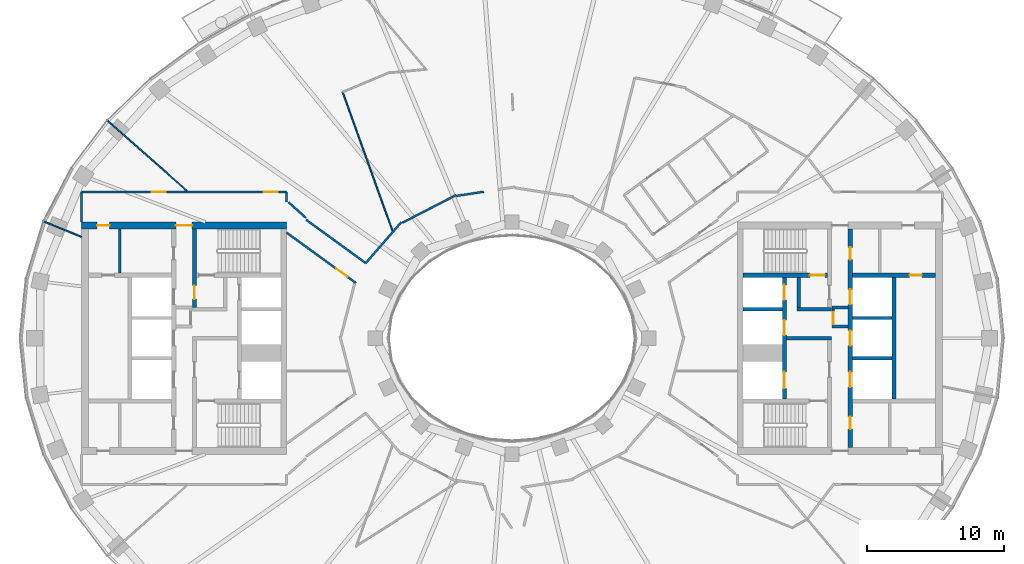
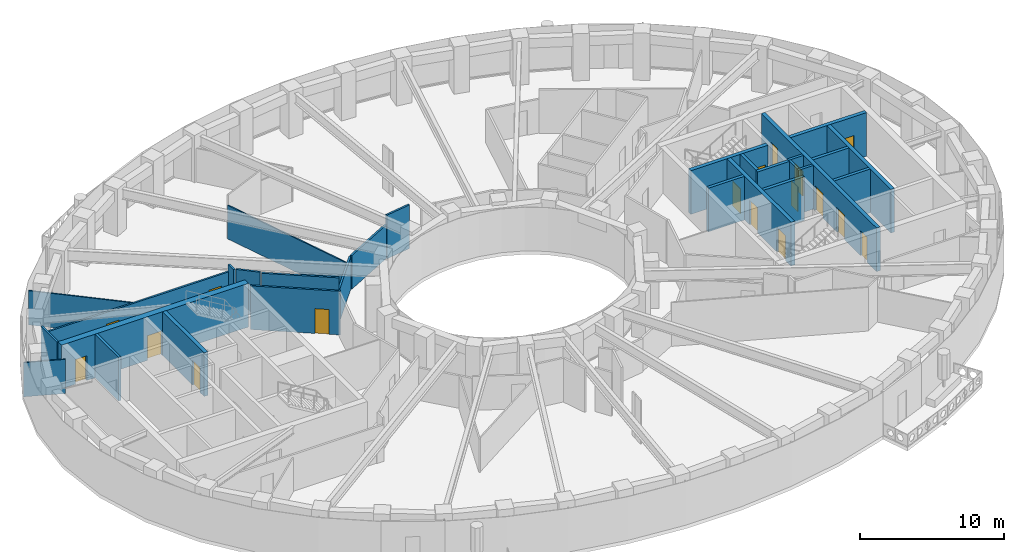
# One storey, part 5 of 15: 29 walls, 17 doors, 17 openings.
"""IFC4 building model written with IfcOpenShell, lengths in metres."""

from ifc_helpers import new_model, si_unit, direction, frame, frame_2d, origin, place, context, subcontext, project, spatial, rectangle, extrude, material, layer, layer_set, type_object, element, fill, save


model = new_model("IFC4")

# Units and contexts
model_context = context("Model", 3, precision=1e-05, world=origin(), true_north=direction((0.0, 1.0)))
body_context = subcontext(model_context, "Body", "Model", "MODEL_VIEW")
ifc_project = project(units=[si_unit("LENGTHUNIT", "METRE"), si_unit("AREAUNIT", "SQUARE_METRE"), si_unit("VOLUMEUNIT", "CUBIC_METRE"), si_unit("PLANEANGLEUNIT", "RADIAN"), si_unit("MASSUNIT", "GRAM", prefix="KILO")], contexts=[model_context])

# Site, building, storey
site_placement = place(None, origin())
site = spatial("IfcSite", under=ifc_project, at=site_placement, CompositionType="ELEMENT")
building_placement = place(site_placement, origin())
building = spatial("IfcBuilding", under=site, at=building_placement, Name="Noorbagh Ring Tower", CompositionType="ELEMENT")
storey_placement = place(building_placement, frame((0.0, 0.0, 194.0)))
storey = spatial("IfcBuildingStorey", under=building, at=storey_placement, Name="L45", CompositionType="ELEMENT", Elevation=194.0)

# Walls
ifc_material_1 = material(Name="Gypsum board on steel studs", Category="steel")
ifc_layer_1 = layer(ifc_material_1, 0.199951171875)
ifc_layer_set_1 = layer_set([ifc_layer_1], Name="Gypsum board on steel studs")
wall_type_1 = type_object("IfcWallType", Name="CORE-PARTITION-200", PredefinedType="PARTITIONING", material=ifc_layer_set_1)
wall_1_placement = place(storey_placement, frame((-28.699951171875, 4.75, 0.0), z_axis=(0.0, 0.0, 1.0), x_axis=(0.0, 1.0, 0.0)))
element("IfcWall", 1, at=wall_1_placement, inside=storey, type_object=wall_type_1, Name="Core partition W", PredefinedType="PARTITIONING", context=body_context, shape_type="SweptSolid", body=[
    extrude(rectangle(XDim=3.25, YDim=0.199951171875, at=frame_2d((1.625, 0.0))), origin(), (0.0, 0.0, 1.0), 3.699951171875),
])
for number, where, z_axis, x_axis, name in (
    (2, (23.39990234375, 0.85009765625, 0.0), (0.0, 0.0, 1.0), (1.0, 0.0, 0.0), "Core partition E"),
    (3, (23.39990234375, 2.25, 0.0), (0.0, 0.0, 1.0), (1.0, 0.0, 0.0), "Core partition E"),
):
    element("IfcWall", number, at=place(storey_placement, frame(where, z_axis=z_axis, x_axis=x_axis)), inside=storey, type_object=wall_type_1, Name=name, PredefinedType="PARTITIONING", context=body_context, shape_type="SweptSolid", body=[
        extrude(rectangle(XDim=1.2001953125, YDim=0.199951171875, at=frame_2d((0.60009765625, 0.0))), origin(), (0.0, 0.0, 1.0), 3.699951171875),
    ])

# Wall, opening, door
wall_2_placement = place(storey_placement, frame((23.5, 0.75, 0.0), z_axis=(0.0, 0.0, 1.0), x_axis=(0.0, 1.0, 0.0)))
wall_2 = element("IfcWall", 4, at=wall_2_placement, inside=storey, type_object=wall_type_1, Name="Core partition E", PredefinedType="PARTITIONING", context=body_context, shape_type="SweptSolid", body=[
    extrude(rectangle(XDim=1.60009765625, YDim=0.199951171875, at=frame_2d((0.800048828125, 0.0))), origin(), (0.0, 0.0, 1.0), 3.699951171875),
])
opening_1_placement = place(wall_2_placement, frame((0.25, 0.0, 0.0)))
opening_1 = element("IfcOpeningElement", 5, at=opening_1_placement, cuts=wall_2, Name="Opening L45-CE17", PredefinedType="OPENING", context=body_context, shape_type="SweptSolid", body=[
    extrude(rectangle(XDim=0.89990234375, YDim=2.10009765625, at=frame_2d((0.449951171875, 1.050048828125))), frame((0.0, 0.10986328125, 0.0), z_axis=(0.0, -1.0, 0.0), x_axis=(1.0, 0.0, 0.0)), (0.0, 0.0, 1.0), 0.219970703125),
])
ifc_material_2 = material(Name="Steel door leaf", Category="steel")
door_type_1 = type_object("IfcDoorType", Name="CORE-DOOR-DROOM", OperationType="SINGLE_SWING_LEFT", PredefinedType="DOOR", material=ifc_material_2)
door_1_placement = place(opening_1_placement, origin())
door_1 = element("IfcDoor", 6, at=door_1_placement, inside=storey, type_object=door_type_1, Name="Core room door L45-CE17", OperationType="SINGLE_SWING_LEFT", OverallHeight=2.10009765625, OverallWidth=0.89990234375, PredefinedType="DOOR", context=body_context, shape_type="SweptSolid", body=[
    extrude(rectangle(XDim=0.89990234375, YDim=2.10009765625, at=frame_2d((0.449951171875, 1.050048828125))), frame((0.0, 0.02490234375, 0.0), z_axis=(0.0, -1.0, 0.0), x_axis=(1.0, 0.0, 0.0)), (0.0, 0.0, 1.0), 0.050048828125),
])
fill(opening_1, door_1)

# Walls
ifc_material_3 = material(Name="Concrete C60/75", Category="concrete")
ifc_layer_2 = layer(ifc_material_3, 0.25)
ifc_layer_set_2 = layer_set([ifc_layer_2], Name="Concrete C60/75")
wall_type_2 = type_object("IfcWallType", Name="CORE-WALL-250-C60-75-EI120", PredefinedType="SHEAR", material=ifc_layer_set_2)
for number, where, z_axis, x_axis, name in (
    (7, (16.89990234375, 2.125, 0.0), (0.0, 0.0, 1.0), (1.0, 0.0, 0.0), "Core wall E"),
    (8, (24.89990234375, -1.47509765625, 0.0), (0.0, 0.0, 1.0), (1.0, 0.0, 0.0), "Core wall E"),
    (9, (24.89990234375, 1.47509765625, 0.0), (0.0, 0.0, 1.0), (1.0, 0.0, 0.0), "Core wall E"),
):
    element("IfcWall", number, at=place(storey_placement, frame(where, z_axis=z_axis, x_axis=x_axis)), inside=storey, type_object=wall_type_2, Name=name, PredefinedType="SHEAR", context=body_context, shape_type="SweptSolid", body=[
        extrude(rectangle(XDim=2.900146484375, YDim=0.25, at=frame_2d((1.4501953125, 0.0))), origin(), (0.0, 0.0, 1.0), 3.699951171875),
    ])
ifc_material_4 = material(Name="Concrete C60/75", Category="concrete")
ifc_layer_3 = layer(ifc_material_4, 0.25)
ifc_layer_set_3 = layer_set([ifc_layer_3], Name="Concrete C60/75")
wall_type_3 = type_object("IfcWallType", Name="CORE-WALL-250-C60-75-EI240", PredefinedType="SHEAR", material=ifc_layer_set_3)
wall_3_placement = place(storey_placement, frame((20.10009765625, 0.0, 0.0), z_axis=(0.0, 0.0, 1.0), x_axis=(1.0, 0.0, 0.0)))
element("IfcWall", 10, at=wall_3_placement, inside=storey, type_object=wall_type_3, Name="Core wall E", PredefinedType="SHEAR", context=body_context, shape_type="SweptSolid", body=[
    extrude(rectangle(XDim=3.27978515625, YDim=0.25, at=frame_2d((1.639892578125, 0.0))), origin(), (0.0, 0.0, 1.0), 3.699951171875),
])
wall_4_placement = place(storey_placement, frame((20.85009765625, 2.125, 0.0), z_axis=(0.0, 0.0, 1.0), x_axis=(1.0, 0.0, 0.0)))
element("IfcWall", 11, at=wall_4_placement, inside=storey, type_object=wall_type_3, Name="Core wall E", PredefinedType="SHEAR", context=body_context, shape_type="SweptSolid", body=[
    extrude(rectangle(XDim=2.52978515625, YDim=0.25, at=frame_2d((1.264892578125, 0.0))), origin(), (0.0, 0.0, 1.0), 3.699951171875),
])
wall_5_placement = place(storey_placement, frame((20.97509765625, 2.25, 0.0), z_axis=(0.0, 0.0, 1.0), x_axis=(0.0, 1.0, 0.0)))
element("IfcWall", 12, at=wall_5_placement, inside=storey, type_object=wall_type_3, Name="Core wall E", PredefinedType="SHEAR", context=body_context, shape_type="SweptSolid", body=[
    extrude(rectangle(XDim=2.199951171875, YDim=0.25, at=frame_2d((1.10009765625, 0.0))), origin(), (0.0, 0.0, 1.0), 3.699951171875),
])
ifc_material_5 = material(Name="Concrete C60/75", Category="concrete")
ifc_layer_4 = layer(ifc_material_5, 0.300048828125)
ifc_layer_set_4 = layer_set([ifc_layer_4], Name="Concrete C60/75")
wall_type_4 = type_object("IfcWallType", Name="CORE-WALL-300-C60-75-EI120", PredefinedType="SHEAR", material=ifc_layer_set_4)
wall_6_placement = place(storey_placement, frame((27.949951171875, -4.449951171875, 0.0), z_axis=(0.0, 0.0, 1.0), x_axis=(0.0, 1.0, 0.0)))
element("IfcWall", 13, at=wall_6_placement, inside=storey, type_object=wall_type_4, Name="Core wall E", PredefinedType="SHEAR", context=body_context, shape_type="SweptSolid", body=[
    extrude(rectangle(XDim=8.89990234375, YDim=0.300048828125, at=frame_2d((4.449951171875, 0.0))), origin(), (0.0, 0.0, 1.0), 3.699951171875),
])

# Wall, openings, doors
wall_7_placement = place(storey_placement, frame((19.949951171875, -4.449951171875, 0.0), z_axis=(0.0, 0.0, 1.0), x_axis=(0.0, 1.0, 0.0)))
wall_7 = element("IfcWall", 14, at=wall_7_placement, inside=storey, type_object=wall_type_4, Name="Core wall E", PredefinedType="SHEAR", context=body_context, shape_type="SweptSolid", body=[
    extrude(rectangle(XDim=8.89990234375, YDim=0.300048828125, at=frame_2d((4.449951171875, 0.0))), origin(), (0.0, 0.0, 1.0), 3.699951171875),
])
opening_2_placement = place(wall_7_placement, frame((0.77490234375, 0.0, 0.0)))
opening_2 = element("IfcOpeningElement", 15, at=opening_2_placement, cuts=wall_7, Name="Opening L45-CE01", PredefinedType="OPENING", context=body_context, shape_type="SweptSolid", body=[
    extrude(rectangle(XDim=1.199951171875, YDim=2.10009765625, at=frame_2d((0.60009765625, 1.050048828125))), frame((0.0, 0.16015625, 0.0), z_axis=(0.0, -1.0, 0.0), x_axis=(1.0, 0.0, 0.0)), (0.0, 0.0, 1.0), 0.320068359375),
])
opening_3_placement = place(wall_7_placement, frame((4.675048828125, 0.0, 0.0)))
opening_3 = element("IfcOpeningElement", 16, at=opening_3_placement, cuts=wall_7, Name="Opening L45-CE02", PredefinedType="OPENING", context=body_context, shape_type="SweptSolid", body=[
    extrude(rectangle(XDim=1.10009765625, YDim=2.10009765625, at=frame_2d((0.550048828125, 1.050048828125))), frame((0.0, 0.16015625, 0.0), z_axis=(0.0, -1.0, 0.0), x_axis=(1.0, 0.0, 0.0)), (0.0, 0.0, 1.0), 0.320068359375),
])
opening_4_placement = place(wall_7_placement, frame((7.25, 0.0, 0.0)))
opening_4 = element("IfcOpeningElement", 17, at=opening_4_placement, cuts=wall_7, Name="Opening L45-CE03", PredefinedType="OPENING", context=body_context, shape_type="SweptSolid", body=[
    extrude(rectangle(XDim=1.10009765625, YDim=2.10009765625, at=frame_2d((0.550048828125, 1.050048828125))), frame((0.0, 0.16015625, 0.0), z_axis=(0.0, -1.0, 0.0), x_axis=(1.0, 0.0, 0.0)), (0.0, 0.0, 1.0), 0.320068359375),
])
ifc_material_6 = material(Name="Steel door leaf", Category="steel")
door_type_2 = type_object("IfcDoorType", Name="CORE-DOOR-LD", OperationType="DOUBLE_DOOR_SLIDING", PredefinedType="DOOR", material=ifc_material_6)
door_2_placement = place(opening_3_placement, origin())
door_2 = element("IfcDoor", 18, at=door_2_placement, inside=storey, type_object=door_type_2, Name="Landing door HR7 L45-CE02", OperationType="DOUBLE_DOOR_SLIDING", OverallHeight=2.10009765625, OverallWidth=1.10009765625, PredefinedType="DOOR", context=body_context, shape_type="SweptSolid", body=[
    extrude(rectangle(XDim=1.10009765625, YDim=2.10009765625, at=frame_2d((0.550048828125, 1.050048828125))), frame((0.0, 0.02490234375, 0.0), z_axis=(0.0, -1.0, 0.0), x_axis=(1.0, 0.0, 0.0)), (0.0, 0.0, 1.0), 0.050048828125),
])
fill(opening_3, door_2)
door_3_placement = place(opening_4_placement, origin())
door_3 = element("IfcDoor", 19, at=door_3_placement, inside=storey, type_object=door_type_2, Name="Landing door HR8 L45-CE03", OperationType="DOUBLE_DOOR_SLIDING", OverallHeight=2.10009765625, OverallWidth=1.10009765625, PredefinedType="DOOR", context=body_context, shape_type="SweptSolid", body=[
    extrude(rectangle(XDim=1.10009765625, YDim=2.10009765625, at=frame_2d((0.550048828125, 1.050048828125))), frame((0.0, 0.02490234375, 0.0), z_axis=(0.0, -1.0, 0.0), x_axis=(1.0, 0.0, 0.0)), (0.0, 0.0, 1.0), 0.050048828125),
])
fill(opening_4, door_3)
ifc_material_7 = material(Name="Steel door leaf", Category="steel")
door_type_3 = type_object("IfcDoorType", Name="CORE-DOOR-LDW", OperationType="DOUBLE_DOOR_SLIDING", PredefinedType="DOOR", material=ifc_material_7)
door_4_placement = place(opening_2_placement, origin())
door_4 = element("IfcDoor", 20, at=door_4_placement, inside=storey, type_object=door_type_3, Name="Landing door FF2 L45-CE01", OperationType="DOUBLE_DOOR_SLIDING", OverallHeight=2.10009765625, OverallWidth=1.199951171875, PredefinedType="DOOR", context=body_context, shape_type="SweptSolid", body=[
    extrude(rectangle(XDim=1.199951171875, YDim=2.10009765625, at=frame_2d((0.60009765625, 1.050048828125))), frame((0.0, 0.02490234375, 0.0), z_axis=(0.0, -1.0, 0.0), x_axis=(1.0, 0.0, 0.0)), (0.0, 0.0, 1.0), 0.050048828125),
])
fill(opening_2, door_4)

wall_8_placement = place(storey_placement, frame((24.75, -8.0, 0.0), z_axis=(0.0, 0.0, 1.0), x_axis=(0.0, 1.0, 0.0)))
wall_8 = element("IfcWall", 21, at=wall_8_placement, inside=storey, type_object=wall_type_4, Name="Core wall E", PredefinedType="SHEAR", context=body_context, shape_type="SweptSolid", body=[
    extrude(rectangle(XDim=16.0, YDim=0.300048828125, at=frame_2d((8.0, 0.0))), origin(), (0.0, 0.0, 1.0), 3.699951171875),
])
opening_5_placement = place(wall_8_placement, frame((4.425048828125, 0.0, 0.0)))
opening_5 = element("IfcOpeningElement", 22, at=opening_5_placement, cuts=wall_8, Name="Opening L45-CE04", PredefinedType="OPENING", context=body_context, shape_type="SweptSolid", body=[
    extrude(rectangle(XDim=1.10009765625, YDim=2.10009765625, at=frame_2d((0.550048828125, 1.050048828125))), frame((0.0, 0.16015625, 0.0), z_axis=(0.0, -1.0, 0.0), x_axis=(1.0, 0.0, 0.0)), (0.0, 0.0, 1.0), 0.320068359375),
])
opening_6_placement = place(wall_8_placement, frame((7.449951171875, 0.0, 0.0)))
opening_6 = element("IfcOpeningElement", 23, at=opening_6_placement, cuts=wall_8, Name="Opening L45-CE05", PredefinedType="OPENING", context=body_context, shape_type="SweptSolid", body=[
    extrude(rectangle(XDim=1.10009765625, YDim=2.10009765625, at=frame_2d((0.550048828125, 1.050048828125))), frame((0.0, 0.16015625, 0.0), z_axis=(0.0, -1.0, 0.0), x_axis=(1.0, 0.0, 0.0)), (0.0, 0.0, 1.0), 0.320068359375),
])
opening_7_placement = place(wall_8_placement, frame((10.47509765625, 0.0, 0.0)))
opening_7 = element("IfcOpeningElement", 24, at=opening_7_placement, cuts=wall_8, Name="Opening L45-CE06", PredefinedType="OPENING", context=body_context, shape_type="SweptSolid", body=[
    extrude(rectangle(XDim=1.10009765625, YDim=2.10009765625, at=frame_2d((0.550048828125, 1.050048828125))), frame((0.0, 0.16015625, 0.0), z_axis=(0.0, -1.0, 0.0), x_axis=(1.0, 0.0, 0.0)), (0.0, 0.0, 1.0), 0.320068359375),
])
opening_8_placement = place(wall_8_placement, frame((13.75, 0.0, 0.0)))
opening_8 = element("IfcOpeningElement", 25, at=opening_8_placement, cuts=wall_8, Name="Opening L45-CE13", PredefinedType="OPENING", context=body_context, shape_type="SweptSolid", body=[
    extrude(rectangle(XDim=0.89990234375, YDim=2.10009765625, at=frame_2d((0.449951171875, 1.050048828125))), frame((0.0, 0.16015625, 0.0), z_axis=(0.0, -1.0, 0.0), x_axis=(1.0, 0.0, 0.0)), (0.0, 0.0, 1.0), 0.320068359375),
])
opening_9_placement = place(wall_8_placement, frame((1.35009765625, 0.0, 0.0)))
opening_9 = element("IfcOpeningElement", 26, at=opening_9_placement, cuts=wall_8, Name="Opening L45-CE15", PredefinedType="OPENING", context=body_context, shape_type="SweptSolid", body=[
    extrude(rectangle(XDim=0.89990234375, YDim=2.10009765625, at=frame_2d((0.449951171875, 1.050048828125))), frame((0.0, 0.16015625, 0.0), z_axis=(0.0, -1.0, 0.0), x_axis=(1.0, 0.0, 0.0)), (0.0, 0.0, 1.0), 0.320068359375),
])
door_5_placement = place(opening_8_placement, origin())
door_5 = element("IfcDoor", 27, at=door_5_placement, inside=storey, type_object=door_type_1, Name="Core room door L45-CE13", OperationType="SINGLE_SWING_LEFT", OverallHeight=2.10009765625, OverallWidth=0.89990234375, PredefinedType="DOOR", context=body_context, shape_type="SweptSolid", body=[
    extrude(rectangle(XDim=0.89990234375, YDim=2.10009765625, at=frame_2d((0.449951171875, 1.050048828125))), frame((0.0, 0.02490234375, 0.0), z_axis=(0.0, -1.0, 0.0), x_axis=(1.0, 0.0, 0.0)), (0.0, 0.0, 1.0), 0.050048828125),
])
fill(opening_8, door_5)
door_6_placement = place(opening_9_placement, origin())
door_6 = element("IfcDoor", 28, at=door_6_placement, inside=storey, type_object=door_type_1, Name="Core room door L45-CE15", OperationType="SINGLE_SWING_RIGHT", OverallHeight=2.10009765625, OverallWidth=0.89990234375, PredefinedType="DOOR", context=body_context, shape_type="SweptSolid", body=[
    extrude(rectangle(XDim=0.89990234375, YDim=2.10009765625, at=frame_2d((0.449951171875, 1.050048828125))), frame((0.0, 0.02490234375, 0.0), z_axis=(0.0, -1.0, 0.0), x_axis=(1.0, 0.0, 0.0)), (0.0, 0.0, 1.0), 0.050048828125),
])
fill(opening_9, door_6)
door_7_placement = place(opening_5_placement, origin())
door_7 = element("IfcDoor", 29, at=door_7_placement, inside=storey, type_object=door_type_2, Name="Landing door HR9 L45-CE04", OperationType="DOUBLE_DOOR_SLIDING", OverallHeight=2.10009765625, OverallWidth=1.10009765625, PredefinedType="DOOR", context=body_context, shape_type="SweptSolid", body=[
    extrude(rectangle(XDim=1.10009765625, YDim=2.10009765625, at=frame_2d((0.550048828125, 1.050048828125))), frame((0.0, 0.02490234375, 0.0), z_axis=(0.0, -1.0, 0.0), x_axis=(1.0, 0.0, 0.0)), (0.0, 0.0, 1.0), 0.050048828125),
])
fill(opening_5, door_7)
door_8_placement = place(opening_6_placement, origin())
door_8 = element("IfcDoor", 30, at=door_8_placement, inside=storey, type_object=door_type_2, Name="Landing door HR10 L45-CE05", OperationType="DOUBLE_DOOR_SLIDING", OverallHeight=2.10009765625, OverallWidth=1.10009765625, PredefinedType="DOOR", context=body_context, shape_type="SweptSolid", body=[
    extrude(rectangle(XDim=1.10009765625, YDim=2.10009765625, at=frame_2d((0.550048828125, 1.050048828125))), frame((0.0, 0.02490234375, 0.0), z_axis=(0.0, -1.0, 0.0), x_axis=(1.0, 0.0, 0.0)), (0.0, 0.0, 1.0), 0.050048828125),
])
fill(opening_6, door_8)
door_9_placement = place(opening_7_placement, origin())
door_9 = element("IfcDoor", 31, at=door_9_placement, inside=storey, type_object=door_type_2, Name="Landing door HR11 L45-CE06", OperationType="DOUBLE_DOOR_SLIDING", OverallHeight=2.10009765625, OverallWidth=1.10009765625, PredefinedType="DOOR", context=body_context, shape_type="SweptSolid", body=[
    extrude(rectangle(XDim=1.10009765625, YDim=2.10009765625, at=frame_2d((0.550048828125, 1.050048828125))), frame((0.0, 0.02490234375, 0.0), z_axis=(0.0, -1.0, 0.0), x_axis=(1.0, 0.0, 0.0)), (0.0, 0.0, 1.0), 0.050048828125),
])
fill(opening_7, door_9)

# Wall, opening, door
ifc_material_8 = material(Name="Concrete C60/75", Category="concrete")
ifc_layer_5 = layer(ifc_material_8, 0.300048828125)
ifc_layer_set_5 = layer_set([ifc_layer_5], Name="Concrete C60/75")
wall_type_5 = type_object("IfcWallType", Name="CORE-WALL-300-C60-75-EI240", PredefinedType="SHEAR", material=ifc_layer_set_5)
wall_9_placement = place(storey_placement, frame((-23.22998046875, 2.25, 0.0), z_axis=(0.0, 0.0, 1.0), x_axis=(0.0, 1.0, 0.0)))
wall_9 = element("IfcWall", 32, at=wall_9_placement, inside=storey, type_object=wall_type_5, Name="Core wall W", PredefinedType="SHEAR", context=body_context, shape_type="SweptSolid", body=[
    extrude(rectangle(XDim=5.75, YDim=0.300048828125, at=frame_2d((2.875, 0.0))), origin(), (0.0, 0.0, 1.0), 3.699951171875),
])
opening_10_placement = place(wall_9_placement, frame((0.60009765625, 0.0, 0.0)))
opening_10 = element("IfcOpeningElement", 33, at=opening_10_placement, cuts=wall_9, Name="Opening L45-CW09", PredefinedType="OPENING", context=body_context, shape_type="SweptSolid", body=[
    extrude(rectangle(XDim=1.0, YDim=2.10009765625, at=frame_2d((0.5, 1.050048828125))), frame((0.0, 0.16015625, 0.0), z_axis=(0.0, -1.0, 0.0), x_axis=(1.0, 0.0, 0.0)), (0.0, 0.0, 1.0), 0.320068359375),
])
ifc_material_9 = material(Name="Steel door leaf", Category="steel")
door_type_4 = type_object("IfcDoorType", Name="CORE-DOOR-DVEST", OperationType="SINGLE_SWING_LEFT", PredefinedType="DOOR", material=ifc_material_9)
door_10_placement = place(opening_10_placement, origin())
door_10 = element("IfcDoor", 34, at=door_10_placement, inside=storey, type_object=door_type_4, Name="Stair vestibule door L45-CW09", OperationType="SINGLE_SWING_LEFT", OverallHeight=2.10009765625, OverallWidth=1.0, PredefinedType="DOOR", context=body_context, shape_type="SweptSolid", body=[
    extrude(rectangle(XDim=1.0, YDim=2.10009765625, at=frame_2d((0.5, 1.050048828125))), frame((0.0, 0.02490234375, 0.0), z_axis=(0.0, -1.0, 0.0), x_axis=(1.0, 0.0, 0.0)), (0.0, 0.0, 1.0), 0.050048828125),
])
fill(opening_10, door_10)

wall_10_placement = place(storey_placement, frame((24.89990234375, 4.60009765625, 0.0), z_axis=(0.0, 0.0, 1.0), x_axis=(1.0, 0.0, 0.0)))
wall_10 = element("IfcWall", 35, at=wall_10_placement, inside=storey, type_object=wall_type_5, Name="Core wall E", PredefinedType="SHEAR", context=body_context, shape_type="SweptSolid", body=[
    extrude(rectangle(XDim=6.10009765625, YDim=0.300048828125, at=frame_2d((3.050048828125, 0.0))), origin(), (0.0, 0.0, 1.0), 3.699951171875),
])
opening_11_placement = place(wall_10_placement, frame((4.199951171875, 0.0, 0.0)))
opening_11 = element("IfcOpeningElement", 36, at=opening_11_placement, cuts=wall_10, Name="Opening L45-CE18", PredefinedType="OPENING", context=body_context, shape_type="SweptSolid", body=[
    extrude(rectangle(XDim=0.89990234375, YDim=2.10009765625, at=frame_2d((0.449951171875, 1.050048828125))), frame((0.0, 0.16015625, 0.0), z_axis=(0.0, -1.0, 0.0), x_axis=(1.0, 0.0, 0.0)), (0.0, 0.0, 1.0), 0.320068359375),
])
door_11_placement = place(opening_11_placement, origin())
door_11 = element("IfcDoor", 37, at=door_11_placement, inside=storey, type_object=door_type_1, Name="Core room door L45-CE18", OperationType="SINGLE_SWING_RIGHT", OverallHeight=2.10009765625, OverallWidth=0.89990234375, PredefinedType="DOOR", context=body_context, shape_type="SweptSolid", body=[
    extrude(rectangle(XDim=0.89990234375, YDim=2.10009765625, at=frame_2d((0.449951171875, 1.050048828125))), frame((0.0, 0.02490234375, 0.0), z_axis=(0.0, -1.0, 0.0), x_axis=(1.0, 0.0, 0.0)), (0.0, 0.0, 1.0), 0.050048828125),
])
fill(opening_11, door_11)

wall_11_placement = place(storey_placement, frame((16.89990234375, 4.60009765625, 0.0), z_axis=(0.0, 0.0, 1.0), x_axis=(1.0, 0.0, 0.0)))
wall_11 = element("IfcWall", 38, at=wall_11_placement, inside=storey, type_object=wall_type_5, Name="Core wall E", PredefinedType="SHEAR", context=body_context, shape_type="SweptSolid", body=[
    extrude(rectangle(XDim=6.18017578125, YDim=0.300048828125, at=frame_2d((3.090087890625, 0.0))), origin(), (0.0, 0.0, 1.0), 3.699951171875),
])
opening_12_placement = place(wall_11_placement, frame((4.89990234375, 0.0, 0.0)))
opening_12 = element("IfcOpeningElement", 39, at=opening_12_placement, cuts=wall_11, Name="Opening L45-CE07", PredefinedType="OPENING", context=body_context, shape_type="SweptSolid", body=[
    extrude(rectangle(XDim=1.10009765625, YDim=2.10009765625, at=frame_2d((0.550048828125, 1.050048828125))), frame((0.0, 0.16015625, 0.0), z_axis=(0.0, -1.0, 0.0), x_axis=(1.0, 0.0, 0.0)), (0.0, 0.0, 1.0), 0.320068359375),
])
ifc_material_10 = material(Name="Steel door leaf", Category="steel")
door_type_5 = type_object("IfcDoorType", Name="CORE-DOOR-DSTAIR", OperationType="SINGLE_SWING_LEFT", PredefinedType="DOOR", material=ifc_material_10)
door_12_placement = place(opening_12_placement, origin())
door_12 = element("IfcDoor", 40, at=door_12_placement, inside=storey, type_object=door_type_5, Name="Stair door ST3 L45-CE07", OperationType="SINGLE_SWING_LEFT", OverallHeight=2.10009765625, OverallWidth=1.10009765625, PredefinedType="DOOR", context=body_context, shape_type="SweptSolid", body=[
    extrude(rectangle(XDim=1.10009765625, YDim=2.10009765625, at=frame_2d((0.550048828125, 1.050048828125))), frame((0.0, 0.02490234375, 0.0), z_axis=(0.0, -1.0, 0.0), x_axis=(1.0, 0.0, 0.0)), (0.0, 0.0, 1.0), 0.050048828125),
])
fill(opening_12, door_12)

# Wall, openings, doors
ifc_material_11 = material(Name="Concrete C60/75", Category="concrete")
ifc_layer_6 = layer(ifc_material_11, 0.5)
ifc_layer_set_6 = layer_set([ifc_layer_6], Name="Concrete C60/75")
wall_type_6 = type_object("IfcWallType", Name="CORE-WALL-500-C60-75-EI240", PredefinedType="SHEAR", material=ifc_layer_set_6)
wall_12_placement = place(storey_placement, frame((-16.5, 8.25, 0.0), z_axis=(0.0, 0.0, 1.0), x_axis=(-1.0, 0.0, 0.0)))
wall_12 = element("IfcWall", 41, at=wall_12_placement, inside=storey, type_object=wall_type_6, Name="Core wall W", PredefinedType="SHEAR", context=body_context, shape_type="SweptSolid", body=[
    extrude(rectangle(XDim=15.0, YDim=0.5, at=frame_2d((7.5, 0.0))), origin(), (0.0, 0.0, 1.0), 3.699951171875),
])
opening_13_placement = place(wall_12_placement, frame((6.89990234375, 0.0, 0.0)))
opening_13 = element("IfcOpeningElement", 42, at=opening_13_placement, cuts=wall_12, Name="Opening L45-CW10", PredefinedType="OPENING", context=body_context, shape_type="SweptSolid", body=[
    extrude(rectangle(XDim=1.199951171875, YDim=2.10009765625, at=frame_2d((0.60009765625, 1.050048828125))), frame((0.0, 0.260009765625, 0.0), z_axis=(0.0, -1.0, 0.0), x_axis=(1.0, 0.0, 0.0)), (0.0, 0.0, 1.0), 0.52001953125),
])
opening_14_placement = place(wall_12_placement, frame((12.949951171875, 0.0, 0.0)))
opening_14 = element("IfcOpeningElement", 43, at=opening_14_placement, cuts=wall_12, Name="Opening L45-CW13", PredefinedType="OPENING", context=body_context, shape_type="SweptSolid", body=[
    extrude(rectangle(XDim=0.89990234375, YDim=2.10009765625, at=frame_2d((0.449951171875, 1.050048828125))), frame((0.0, 0.260009765625, 0.0), z_axis=(0.0, -1.0, 0.0), x_axis=(1.0, 0.0, 0.0)), (0.0, 0.0, 1.0), 0.52001953125),
])
door_13_placement = place(opening_14_placement, origin())
door_13 = element("IfcDoor", 44, at=door_13_placement, inside=storey, type_object=door_type_1, Name="Core room door L45-CW13", OperationType="SINGLE_SWING_RIGHT", OverallHeight=2.10009765625, OverallWidth=0.89990234375, PredefinedType="DOOR", context=body_context, shape_type="SweptSolid", body=[
    extrude(rectangle(XDim=0.89990234375, YDim=2.10009765625, at=frame_2d((0.449951171875, 1.050048828125))), frame((0.0, 0.02490234375, 0.0), z_axis=(0.0, -1.0, 0.0), x_axis=(1.0, 0.0, 0.0)), (0.0, 0.0, 1.0), 0.050048828125),
])
fill(opening_14, door_13)
ifc_material_12 = material(Name="Steel door leaf", Category="steel")
door_type_6 = type_object("IfcDoorType", Name="CORE-DOOR-PORT", OperationType="DOUBLE_DOOR_DOUBLE_SWING", PredefinedType="DOOR", material=ifc_material_12)
door_14_placement = place(opening_13_placement, origin())
door_14 = element("IfcDoor", 45, at=door_14_placement, inside=storey, type_object=door_type_6, Name="Core entrance door L45-CW10", OperationType="DOUBLE_DOOR_DOUBLE_SWING", OverallHeight=2.10009765625, OverallWidth=1.199951171875, PredefinedType="DOOR", context=body_context, shape_type="SweptSolid", body=[
    extrude(rectangle(XDim=1.199951171875, YDim=2.10009765625, at=frame_2d((0.60009765625, 1.050048828125))), frame((0.0, 0.02490234375, 0.0), z_axis=(0.0, -1.0, 0.0), x_axis=(1.0, 0.0, 0.0)), (0.0, 0.0, 1.0), 0.050048828125),
])
fill(opening_13, door_14)

# Wall
ifc_material_13 = material(Name="Gypsum board on steel studs", Category="steel")
ifc_layer_7 = layer(ifc_material_13, 0.14990234375)
ifc_layer_set_7 = layer_set([ifc_layer_7], Name="Gypsum board on steel studs")
wall_type_7 = type_object("IfcWallType", Name="CORRIDOR PARTITION 150 EI 30", PredefinedType="PARTITIONING", material=ifc_layer_set_7)
wall_13_placement = place(storey_placement, frame((-31.5, 8.5, 0.0), z_axis=(0.0, 0.0, 1.0), x_axis=(0.0, 1.0, 0.0)))
element("IfcWall", 46, at=wall_13_placement, inside=storey, type_object=wall_type_7, Name="L45/wall/P04", PredefinedType="PARTITIONING", context=body_context, shape_type="SweptSolid", body=[
    extrude(rectangle(XDim=2.199951171875, YDim=0.14990234375, at=frame_2d((1.10009765625, 0.0))), origin(), (0.0, 0.0, 1.0), 3.699951171875),
])

# Wall, openings, doors
wall_14_placement = place(storey_placement, frame((-31.5, 10.699951171875, 0.0), z_axis=(0.0, 0.0, 1.0), x_axis=(1.0, 0.0, 0.0)))
wall_14 = element("IfcWall", 47, at=wall_14_placement, inside=storey, type_object=wall_type_7, Name="L45/wall/P05", PredefinedType="PARTITIONING", context=body_context, shape_type="SweptSolid", body=[
    extrude(rectangle(XDim=15.0, YDim=0.14990234375, at=frame_2d((7.5, 0.0))), origin(), (0.0, 0.0, 1.0), 3.10009765625),
])
opening_15_placement = place(wall_14_placement, frame((5.153076171875, 0.0, 0.0)))
opening_15 = element("IfcOpeningElement", 48, at=opening_15_placement, cuts=wall_14, Name="Opening D1", PredefinedType="OPENING", context=body_context, shape_type="SweptSolid", body=[
    extrude(rectangle(XDim=1.0, YDim=2.10009765625, at=frame_2d((0.5, 1.050048828125))), frame((0.0, 0.0849609375, 0.0), z_axis=(0.0, -1.0, 0.0), x_axis=(1.0, 0.0, 0.0)), (0.0, 0.0, 1.0), 0.169921875),
])
opening_16_placement = place(wall_14_placement, frame((13.35009765625, 0.0, 0.0)))
opening_16 = element("IfcOpeningElement", 49, at=opening_16_placement, cuts=wall_14, Name="Opening D1", PredefinedType="OPENING", context=body_context, shape_type="SweptSolid", body=[
    extrude(rectangle(XDim=1.0, YDim=2.10009765625, at=frame_2d((0.5, 1.050048828125))), frame((0.0, 0.0849609375, 0.0), z_axis=(0.0, -1.0, 0.0), x_axis=(1.0, 0.0, 0.0)), (0.0, 0.0, 1.0), 0.169921875),
])
ifc_material_14 = material(Name="Timber, painted", Category="wood")
door_type_7 = type_object("IfcDoorType", Name="DOOR 1000 X 2100 FD30", OperationType="SINGLE_SWING_LEFT", PredefinedType="DOOR", material=ifc_material_14)
door_15_placement = place(opening_15_placement, origin())
door_15 = element("IfcDoor", 50, at=door_15_placement, inside=storey, type_object=door_type_7, Name="L45-D07", OperationType="SINGLE_SWING_LEFT", OverallHeight=2.10009765625, OverallWidth=1.0, PredefinedType="DOOR", context=body_context, shape_type="SweptSolid", body=[
    extrude(rectangle(XDim=1.0, YDim=2.10009765625, at=frame_2d((0.5, 1.050048828125))), frame((0.0, 0.02490234375, 0.0), z_axis=(0.0, -1.0, 0.0), x_axis=(1.0, 0.0, 0.0)), (0.0, 0.0, 1.0), 0.050048828125),
])
fill(opening_15, door_15)
door_16_placement = place(opening_16_placement, origin())
door_16 = element("IfcDoor", 51, at=door_16_placement, inside=storey, type_object=door_type_7, Name="L45-D09", OperationType="SINGLE_SWING_LEFT", OverallHeight=2.10009765625, OverallWidth=1.0, PredefinedType="DOOR", context=body_context, shape_type="SweptSolid", body=[
    extrude(rectangle(XDim=1.0, YDim=2.10009765625, at=frame_2d((0.5, 1.050048828125))), frame((0.0, 0.02490234375, 0.0), z_axis=(0.0, -1.0, 0.0), x_axis=(1.0, 0.0, 0.0)), (0.0, 0.0, 1.0), 0.050048828125),
])
fill(opening_16, door_16)

# Wall
wall_15_placement = place(storey_placement, frame((-16.5, 9.964111328125, 0.0), z_axis=(0.0, 0.0, 1.0), x_axis=(0.0, 1.0, 0.0)))
element("IfcWall", 52, at=wall_15_placement, inside=storey, type_object=wall_type_7, Name="L45/wall/P10", PredefinedType="PARTITIONING", context=body_context, shape_type="SweptSolid", body=[
    extrude(rectangle(XDim=0.73583984375, YDim=0.14990234375, at=frame_2d((0.367919921875, 0.0))), origin(), (0.0, 0.0, 1.0), 3.699951171875),
])

# Wall, opening, door
wall_16_placement = place(storey_placement, frame((-16.5, 7.72705078125, 0.0), z_axis=(0.0, 0.0, 1.0), x_axis=(0.808900994583, -0.587944879188, 0.0)))
wall_16 = element("IfcWall", 53, at=wall_16_placement, inside=storey, type_object=wall_type_7, Name="L45/wall/P12", PredefinedType="PARTITIONING", context=body_context, shape_type="SweptSolid", body=[
    extrude(rectangle(XDim=6.272705078125, YDim=0.14990234375, at=frame_2d((3.13623046875, 0.0))), origin(), (0.0, 0.0, 1.0), 3.699951171875),
])
opening_17_placement = place(wall_16_placement, frame((4.504150390625, 0.0, 0.0)))
opening_17 = element("IfcOpeningElement", 54, at=opening_17_placement, cuts=wall_16, Name="Opening D1", PredefinedType="OPENING", context=body_context, shape_type="SweptSolid", body=[
    extrude(rectangle(XDim=1.0, YDim=2.10009765625, at=frame_2d((0.5, 1.050048828125))), frame((0.0, 0.0849609375, 0.0), z_axis=(0.0, -1.0, 0.0), x_axis=(1.0, 0.0, 0.0)), (0.0, 0.0, 1.0), 0.169921875),
])
door_17_placement = place(opening_17_placement, origin())
door_17 = element("IfcDoor", 55, at=door_17_placement, inside=storey, type_object=door_type_7, Name="L45-D18", OperationType="SINGLE_SWING_RIGHT", OverallHeight=2.10009765625, OverallWidth=1.0, PredefinedType="DOOR", context=body_context, shape_type="SweptSolid", body=[
    extrude(rectangle(XDim=1.0, YDim=2.10009765625, at=frame_2d((0.5, 1.050048828125))), frame((0.0, 0.02490234375, 0.0), z_axis=(0.0, -1.0, 0.0), x_axis=(1.0, 0.0, 0.0)), (0.0, 0.0, 1.0), 0.050048828125),
])
fill(opening_17, door_17)

# Walls
wall_17_placement = place(storey_placement, frame((-15.05908203125, 8.657958984375, 0.0), z_axis=(0.0, 0.0, 1.0), x_axis=(0.808838005268, -0.588031530816, 0.0)))
element("IfcWall", 56, at=wall_17_placement, inside=storey, type_object=wall_type_7, Name="L45/wall/P14", PredefinedType="PARTITIONING", context=body_context, shape_type="SweptSolid", body=[
    extrude(rectangle(XDim=5.3857421875, YDim=0.14990234375, at=frame_2d((2.69287109375, 0.0))), origin(), (0.0, 0.0, 1.0), 3.699951171875),
])
wall_18_placement = place(storey_placement, frame((-10.702880859375, 5.490966796875, 0.0), z_axis=(0.0, 0.0, 1.0), x_axis=(0.656266732873, 0.754528975802, 0.0)))
element("IfcWall", 57, at=wall_18_placement, inside=storey, type_object=wall_type_7, Name="L45/wall/P23", PredefinedType="PARTITIONING", context=body_context, shape_type="SweptSolid", body=[
    extrude(rectangle(XDim=3.982666015625, YDim=0.14990234375, at=frame_2d((1.9912109375, 0.0))), origin(), (0.0, 0.0, 1.0), 2.75),
])
wall_19_placement = place(storey_placement, frame((-8.0419921875, 8.43505859375, 0.0), z_axis=(0.0, 0.0, 1.0), x_axis=(0.88929925529, 0.457325742268, 0.0)))
element("IfcWall", 58, at=wall_19_placement, inside=storey, type_object=wall_type_7, Name="L45/wall/P26", PredefinedType="PARTITIONING", context=body_context, shape_type="SweptSolid", body=[
    extrude(rectangle(XDim=4.458740234375, YDim=0.14990234375, at=frame_2d((2.2294921875, 0.0))), origin(), (0.0, 0.0, 1.0), 2.85009765625),
])
wall_20_placement = place(storey_placement, frame((-4.055908203125, 10.407958984375, 0.0), z_axis=(0.0, 0.0, 1.0), x_axis=(0.988437567576, 0.151628410943, 0.0)))
element("IfcWall", 59, at=wall_20_placement, inside=storey, type_object=wall_type_7, Name="L45/wall/P28", PredefinedType="PARTITIONING", context=body_context, shape_type="SweptSolid", body=[
    extrude(rectangle(XDim=2.010986328125, YDim=0.14990234375, at=frame_2d((1.00537109375, 0.0))), origin(), (0.0, 0.0, 1.0), 3.699951171875),
])
wall_21_placement = place(storey_placement, frame((-16.35205078125, 9.94189453125, 0.0), z_axis=(0.0, 0.0, 1.0), x_axis=(0.744832366149, -0.667251636444, 0.0)))
element("IfcWall", 60, at=wall_21_placement, inside=storey, type_object=wall_type_7, Name="L45/wall/P83", PredefinedType="PARTITIONING", context=body_context, shape_type="SweptSolid", body=[
    extrude(rectangle(XDim=1.702392578125, YDim=0.14990234375, at=frame_2d((0.85107421875, 0.0))), origin(), (0.0, 0.0, 1.0), 3.699951171875),
])
ifc_material_15 = material(Name="Gypsum board on steel studs", Category="steel")
ifc_layer_8 = layer(ifc_material_15, 0.10009765625)
ifc_layer_set_8 = layer_set([ifc_layer_8], Name="Gypsum board on steel studs")
wall_type_8 = type_object("IfcWallType", Name="PARTITION 100 GYPSUM", PredefinedType="PARTITIONING", material=ifc_layer_set_8)
wall_22_placement = place(storey_placement, frame((-34.23388671875, 8.530029296875, 0.0), z_axis=(0.0, 0.0, 1.0), x_axis=(0.925344112436, -0.379128307542, 0.0)))
element("IfcWall", 61, at=wall_22_placement, inside=storey, type_object=wall_type_8, Name="L45/wall/P01", PredefinedType="PARTITIONING", context=body_context, shape_type="SweptSolid", body=[
    extrude(rectangle(XDim=2.954345703125, YDim=0.10009765625, at=frame_2d((1.47705078125, 0.0))), origin(), (0.0, 0.0, 1.0), 2.89990234375),
])
wall_23_placement = place(storey_placement, frame((-29.569091796875, 15.89501953125, 0.0), z_axis=(0.0, 0.0, 1.0), x_axis=(0.748985701008, -0.662586160198, 0.0)))
element("IfcWall", 62, at=wall_23_placement, inside=storey, type_object=wall_type_8, Name="L45/wall/P07", PredefinedType="PARTITIONING", context=body_context, shape_type="SweptSolid", body=[
    extrude(rectangle(XDim=7.72265625, YDim=0.10009765625, at=frame_2d((3.861328125, 0.0))), origin(), (0.0, 0.0, 1.0), 2.89990234375),
])
wall_24_placement = place(storey_placement, frame((-12.39306640625, 17.9990234375, 0.0), z_axis=(0.0, 0.0, 1.0), x_axis=(0.338550172492, -0.940948341146, 0.0)))
element("IfcWall", 63, at=wall_24_placement, inside=storey, type_object=wall_type_8, Name="L45/wall/P18", PredefinedType="PARTITIONING", context=body_context, shape_type="SweptSolid", body=[
    extrude(rectangle(XDim=10.775146484375, YDim=0.10009765625, at=frame_2d((5.3876953125, 0.0))), origin(), (0.0, 0.0, 1.0), 2.85009765625),
])

save(model, "model.ifc")
